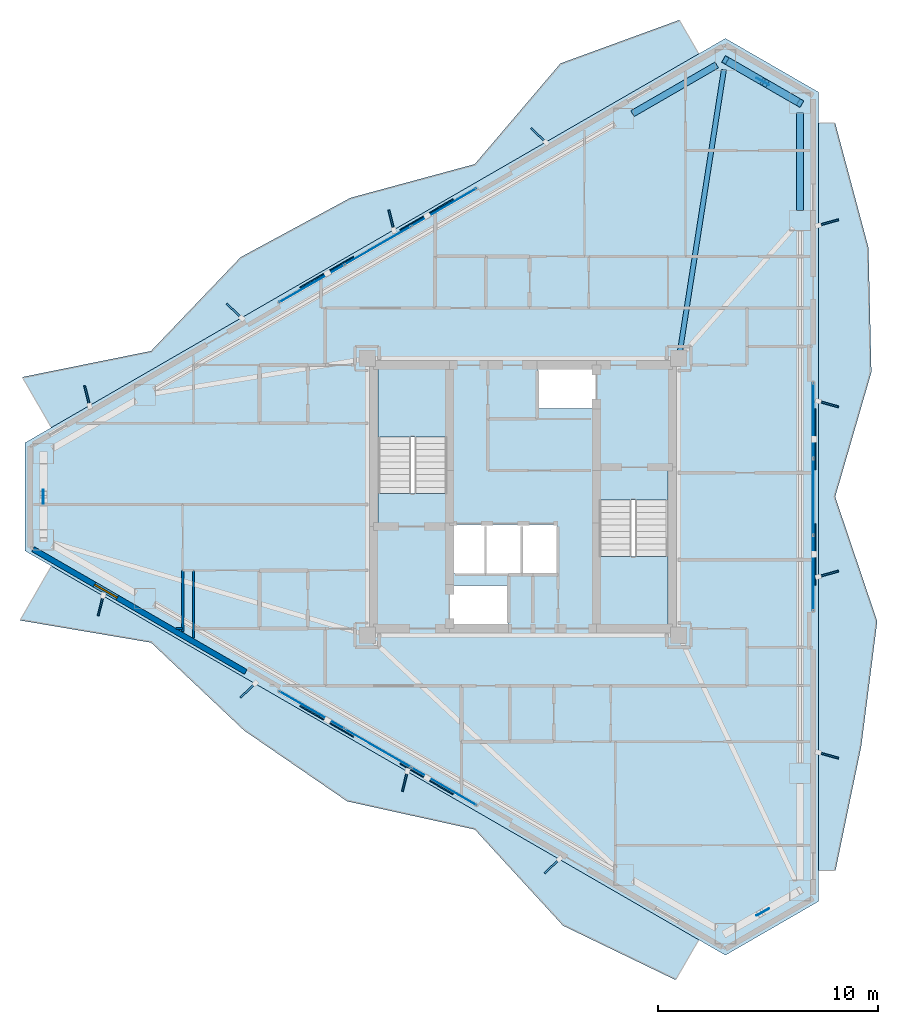
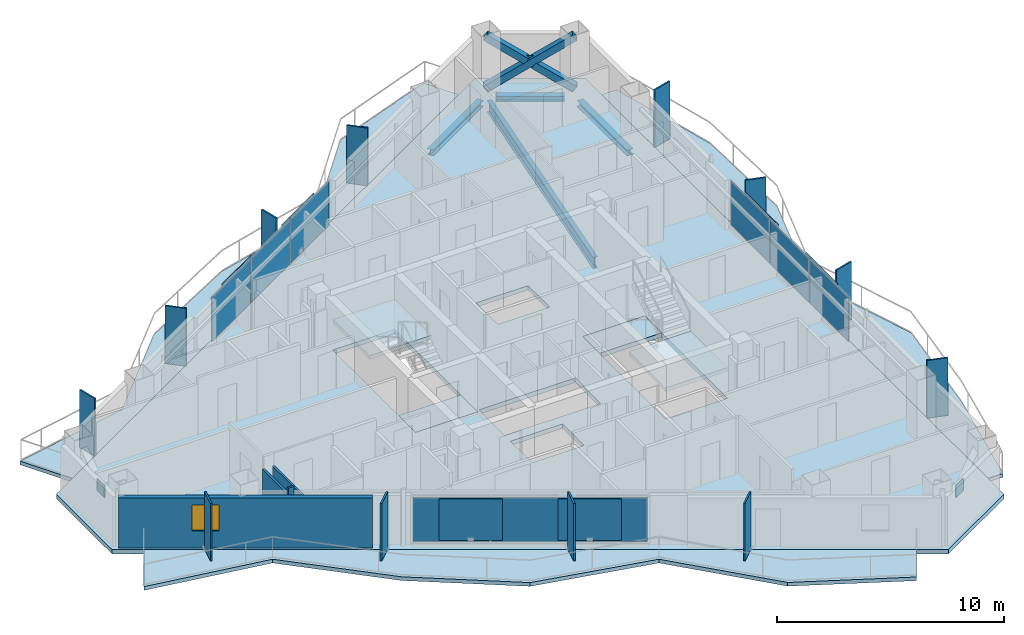
# One storey, part 11 of 19: 30 plates, 8 slabs, 4 beams, 4 walls, 3 members, 1 window, 1 opening, 5 elements without a shape of their own.
"""IFC4 building model written with IfcOpenShell, lengths in metres."""

from ifc_helpers import new_model, si_unit, direction, frame, frame_2d, origin, origin_2d, place, context, subcontext, project, spatial, polyline, rectangle, hollow_rectangle, i_section, outline, extrude, material, layer, layer_set, material_profile, profile_set, type_object, element, fill, aggregate, save


model = new_model("IFC4")

# Units and contexts
model_context = context("Model", 3, precision=1e-05, world=origin(), true_north=direction((0.0, 1.0)))
body_context = subcontext(model_context, "Body", "Model", "MODEL_VIEW")
ifc_project = project(units=[si_unit("LENGTHUNIT", "METRE"), si_unit("AREAUNIT", "SQUARE_METRE"), si_unit("VOLUMEUNIT", "CUBIC_METRE"), si_unit("PLANEANGLEUNIT", "RADIAN"), si_unit("MASSUNIT", "GRAM", prefix="KILO")], contexts=[model_context])

# Site, building, storey
site_placement = place(None, origin())
site = spatial("IfcSite", under=ifc_project, at=site_placement, CompositionType="ELEMENT")
building_placement = place(site_placement, origin())
building = spatial("IfcBuilding", under=site, at=building_placement, Name="Mersakhor Tower and Convention Hall", CompositionType="ELEMENT")
storey_placement = place(building_placement, frame((0.0, 0.0, 127.800048828125)))
storey = spatial("IfcBuildingStorey", under=building, at=storey_placement, Name="L35", CompositionType="ELEMENT", Elevation=127.800048828125)

# Beams
ifc_material_1 = material(Name="Steel S355", Category="steel")
ifc_material_profile_1 = material_profile(ifc_material_1, i_section(OverallWidth=0.22900390625, OverallDepth=0.6123046875, WebThickness=0.011962890625, FlangeThickness=0.01953125, at=origin_2d()), Name="UB 610x229x125")
ifc_profile_set_1 = profile_set([ifc_material_profile_1], Name="Steel S355")
beam_type_1 = type_object("IfcBeamType", Name="BM-PR-610", PredefinedType="BEAM", material=ifc_profile_set_1)
beam_1_placement = place(storey_placement, frame((36.15478515625, 33.40087890625, -0.546142578125), z_axis=(0.154111159783, 0.988053515975, 0.0), x_axis=(-0.988053515975, 0.154111159783, 0.0)))
element("IfcBeam", 1, at=beam_1_placement, inside=storey, type_object=beam_type_1, Name="L35 Primary Floor Girder FG-2", PredefinedType="BEAM", context=body_context, shape_type="SweptSolid", body=[
    extrude(i_section(OverallWidth=0.22900390625, OverallDepth=0.6123046875, WebThickness=0.011962890625, FlangeThickness=0.01953125, at=origin_2d()), origin(), (0.0, 0.0, 1.0), 12.94921875),
])
ifc_material_2 = material(Name="Steel S355", Category="steel")
ifc_material_profile_2 = material_profile(ifc_material_2, i_section(OverallWidth=0.30908203125, OverallDepth=0.320556640625, WebThickness=0.013916015625, FlangeThickness=0.021728515625, at=origin_2d()), Name="UC 305x305x137")
ifc_profile_set_2 = profile_set([ifc_material_profile_2], Name="Steel S355")
beam_type_2 = type_object("IfcBeamType", Name="BM-SPD-UC305", PredefinedType="SPANDREL", material=ifc_profile_set_2)
beam_2_placement = place(storey_placement, frame((33.986572265625, 44.200439453125, -0.400390625), z_axis=(0.866038875684, 0.49997666526, 0.0), x_axis=(-0.49997666526, 0.866038875684, 0.0)))
element("IfcBeam", 2, at=beam_2_placement, inside=storey, type_object=beam_type_2, Name="L35 Perimeter Spandrel Beam SPB-03", PredefinedType="SPANDREL", context=body_context, shape_type="SweptSolid", body=[
    extrude(i_section(OverallWidth=0.30908203125, OverallDepth=0.320556640625, WebThickness=0.013916015625, FlangeThickness=0.021728515625, at=origin_2d()), origin(), (0.0, 0.0, 1.0), 4.433837890625),
])
beam_3_placement = place(storey_placement, frame((38.614501953125, 46.417236328125, -0.400390625), z_axis=(0.86604667077, -0.499963162692, 0.0), x_axis=(0.499963162692, 0.86604667077, 0.0)))
element("IfcBeam", 3, at=beam_3_placement, inside=storey, type_object=beam_type_2, Name="L35 Perimeter Spandrel Beam SPB-04", PredefinedType="SPANDREL", context=body_context, shape_type="SweptSolid", body=[
    extrude(i_section(OverallWidth=0.30908203125, OverallDepth=0.320556640625, WebThickness=0.013916015625, FlangeThickness=0.021728515625, at=origin_2d()), origin(), (0.0, 0.0, 1.0), 3.014404296875),
])
beam_4_placement = place(storey_placement, frame((41.619140625, 44.2275390625, -0.400390625), z_axis=(0.0, -1.0, 0.0), x_axis=(1.0, 0.0, 0.0)))
element("IfcBeam", 4, at=beam_4_placement, inside=storey, type_object=beam_type_2, Name="L35 Perimeter Spandrel Beam SPB-05", PredefinedType="SPANDREL", context=body_context, shape_type="SweptSolid", body=[
    extrude(i_section(OverallWidth=0.30908203125, OverallDepth=0.320556640625, WebThickness=0.013916015625, FlangeThickness=0.021728515625, at=origin_2d()), origin(), (0.0, 0.0, 1.0), 4.433837890625),
])

# Members
ifc_material_3 = material(Name="Steel S460", Category="steel")
ifc_material_profile_3 = material_profile(ifc_material_3, hollow_rectangle(XDim=0.35009765625, YDim=0.35009765625, WallThickness=0.02001953125, at=origin_2d()), Name="SHS 350x350x20")
ifc_profile_set_3 = profile_set([ifc_material_profile_3], Name="Steel S460")
member_type = type_object("IfcMemberType", Name="MB-BRC-SHS350", PredefinedType="BRACE", material=ifc_profile_set_3)
member_placement = place(storey_placement, frame((38.220458984375, 46.644775390625, 0.14990234375), z_axis=(0.70838533923, -0.408971551713, 0.575267312693), x_axis=(0.499986324622, 0.866033299124, 0.0)))
element("IfcMember", 5, at=member_placement, inside=storey, type_object=member_type, Name="L35 Chamfer Braced Frame Diagonal CB-1A", PredefinedType="BRACE", context=body_context, shape_type="SweptSolid", body=[
    extrude(hollow_rectangle(XDim=0.35009765625, YDim=0.35009765625, WallThickness=0.02001953125, at=origin_2d()), origin(), (0.0, 0.0, 1.0), 4.7978515625),
])
for number, where, z_axis, x_axis, name in (
    (6, (41.619140625, 44.6826171875, 0.14990234375), (-0.708364021879, 0.408986667212, 0.575282816143), (-0.500011469263, -0.866018781901, 0.0), "L35 Chamfer Braced Frame Diagonal CB-1B Lower Half"),
    (7, (39.782470703125, 45.742919921875, 1.6416015625), (-0.708409139881, 0.409012716899, 0.575208734242), (-0.500011469263, -0.866018781901, 0.0), "L35 Chamfer Braced Frame Diagonal CB-1B Upper Half"),
):
    element("IfcMember", number, at=place(storey_placement, frame(where, z_axis=z_axis, x_axis=x_axis)), inside=storey, type_object=member_type, Name=name, PredefinedType="BRACE", context=body_context, shape_type="SweptSolid", body=[
        extrude(hollow_rectangle(XDim=0.35009765625, YDim=0.35009765625, WallThickness=0.02001953125, at=origin_2d()), origin(), (0.0, 0.0, 1.0), 2.205078125),
    ])

# Curtain wall, plates
ifc_material_4 = material(Name="Dark solar low-E aluminium curtain wall", Category="aluminium")
ifc_layer_1 = layer(ifc_material_4, 0.169921875)
ifc_layer_set_1 = layer_set([ifc_layer_1], Name="Dark solar low-E aluminium curtain wall")
curtain_wall_type = type_object("IfcCurtainWallType", Name="CW-SYS-02", PredefinedType="USERDEFINED", material=ifc_layer_set_1)
curtain_wall_1_placement = place(storey_placement, origin())
curtain_wall_1 = element("IfcCurtainWall", 8, at=curtain_wall_1_placement, inside=storey, type_object=curtain_wall_type, Name="L35 Dark-Glass Curtain Wall F1-B2", ObjectType="CURTAIN WALL", PredefinedType="USERDEFINED")
ifc_material_5 = material(Name="Dark solar double glazing", Category="glass")
ifc_layer_2 = layer(ifc_material_5, 0.028076171875)
ifc_layer_set_2 = layer_set([ifc_layer_2], Name="Dark solar double glazing")
plate_type_1 = type_object("IfcPlateType", Name="CWP-GLZ-28", PredefinedType="CURTAIN_PANEL", material=ifc_layer_set_2)
plate_1_placement = place(storey_placement, frame((19.379638671875, 36.4599609375, 0.259765625), z_axis=(0.0, 0.0, 1.0), x_axis=(0.866030906807, 0.499990468363, 0.0)))
plate_1 = element("IfcPlate", 9, at=plate_1_placement, type_object=plate_type_1, Name="CW-02 panel 1.1", PredefinedType="CURTAIN_PANEL", context=body_context, shape_type="SweptSolid", body=[
    extrude(rectangle(XDim=3.3828125, YDim=0.028076171875, at=origin_2d()), origin(), (0.0, 0.0, 1.0), 2.360107421875),
])
plate_2_placement = place(storey_placement, frame((22.390380859375, 38.1982421875, 0.259765625), z_axis=(0.0, 0.0, 1.0), x_axis=(0.866030906807, 0.499990468363, 0.0)))
plate_2 = element("IfcPlate", 10, at=plate_2_placement, type_object=plate_type_1, Name="CW-02 panel 2.1", PredefinedType="CURTAIN_PANEL", context=body_context, shape_type="SweptSolid", body=[
    extrude(rectangle(XDim=3.42041015625, YDim=0.028076171875, at=origin_2d()), origin(), (0.0, 0.0, 1.0), 2.360107421875),
])
plate_3_placement = place(storey_placement, frame((25.401123046875, 39.9365234375, 0.259765625), z_axis=(0.0, 0.0, 1.0), x_axis=(0.866030906807, 0.499990468363, 0.0)))
plate_3 = element("IfcPlate", 11, at=plate_3_placement, type_object=plate_type_1, Name="CW-02 panel 3.1", PredefinedType="CURTAIN_PANEL", context=body_context, shape_type="SweptSolid", body=[
    extrude(rectangle(XDim=3.3828125, YDim=0.028076171875, at=origin_2d()), origin(), (0.0, 0.0, 1.0), 2.360107421875),
])
aggregate(curtain_wall_1, [plate_1, plate_2, plate_3])

curtain_wall_2_placement = place(storey_placement, origin())
curtain_wall_2 = element("IfcCurtainWall", 12, at=curtain_wall_2_placement, inside=storey, type_object=curtain_wall_type, Name="L35 Dark-Glass Curtain Wall F2-B2", ObjectType="CURTAIN WALL", PredefinedType="USERDEFINED")
plate_4_placement = place(storey_placement, frame((42.21923828125, 30.2265625, 0.259765625), z_axis=(0.0, 0.0, 1.0), x_axis=(0.0, -1.0, 0.0)))
plate_4 = element("IfcPlate", 13, at=plate_4_placement, type_object=plate_type_1, Name="CW-02 panel 1.1", PredefinedType="CURTAIN_PANEL", context=body_context, shape_type="SweptSolid", body=[
    extrude(rectangle(XDim=3.3828125, YDim=0.028076171875, at=origin_2d()), origin(), (0.0, 0.0, 1.0), 2.360107421875),
])
plate_5_placement = place(storey_placement, frame((42.21923828125, 26.75, 0.259765625), z_axis=(0.0, 0.0, 1.0), x_axis=(0.0, -1.0, 0.0)))
plate_5 = element("IfcPlate", 14, at=plate_5_placement, type_object=plate_type_1, Name="CW-02 panel 2.1", PredefinedType="CURTAIN_PANEL", context=body_context, shape_type="SweptSolid", body=[
    extrude(rectangle(XDim=3.42041015625, YDim=0.028076171875, at=origin_2d()), origin(), (0.0, 0.0, 1.0), 2.360107421875),
])
plate_6_placement = place(storey_placement, frame((42.21923828125, 23.2734375, 0.259765625), z_axis=(0.0, 0.0, 1.0), x_axis=(0.0, -1.0, 0.0)))
plate_6 = element("IfcPlate", 15, at=plate_6_placement, type_object=plate_type_1, Name="CW-02 panel 3.1", PredefinedType="CURTAIN_PANEL", context=body_context, shape_type="SweptSolid", body=[
    extrude(rectangle(XDim=3.3828125, YDim=0.028076171875, at=origin_2d()), origin(), (0.0, 0.0, 1.0), 2.360107421875),
])
aggregate(curtain_wall_2, [plate_4, plate_5, plate_6])

curtain_wall_3_placement = place(storey_placement, origin())
curtain_wall_3 = element("IfcCurtainWall", 16, at=curtain_wall_3_placement, inside=storey, type_object=curtain_wall_type, Name="L35 Dark-Glass Curtain Wall F3-B2", ObjectType="CURTAIN WALL", PredefinedType="USERDEFINED")
plate_7_placement = place(storey_placement, frame((25.401123046875, 13.5634765625, 0.259765625), z_axis=(0.0, 0.0, 1.0), x_axis=(-0.866030906807, 0.499990468363, 0.0)))
plate_7 = element("IfcPlate", 17, at=plate_7_placement, type_object=plate_type_1, Name="CW-02 panel 1.1", PredefinedType="CURTAIN_PANEL", context=body_context, shape_type="SweptSolid", body=[
    extrude(rectangle(XDim=3.3828125, YDim=0.028076171875, at=origin_2d()), origin(), (0.0, 0.0, 1.0), 2.360107421875),
])
plate_8_placement = place(storey_placement, frame((22.390380859375, 15.3017578125, 0.259765625), z_axis=(0.0, 0.0, 1.0), x_axis=(-0.866030906807, 0.499990468363, 0.0)))
plate_8 = element("IfcPlate", 18, at=plate_8_placement, type_object=plate_type_1, Name="CW-02 panel 2.1", PredefinedType="CURTAIN_PANEL", context=body_context, shape_type="SweptSolid", body=[
    extrude(rectangle(XDim=3.42041015625, YDim=0.028076171875, at=origin_2d()), origin(), (0.0, 0.0, 1.0), 2.360107421875),
])
plate_9_placement = place(storey_placement, frame((19.379638671875, 17.0400390625, 0.259765625), z_axis=(0.0, 0.0, 1.0), x_axis=(-0.866030906807, 0.499990468363, 0.0)))
plate_9 = element("IfcPlate", 19, at=plate_9_placement, type_object=plate_type_1, Name="CW-02 panel 3.1", PredefinedType="CURTAIN_PANEL", context=body_context, shape_type="SweptSolid", body=[
    extrude(rectangle(XDim=3.3828125, YDim=0.028076171875, at=origin_2d()), origin(), (0.0, 0.0, 1.0), 2.360107421875),
])
aggregate(curtain_wall_3, [plate_7, plate_8, plate_9])

# Plates
ifc_material_6 = material(Name="Ceramic-clad aluminium Zone 3 ochre-bronze", Category="aluminium")
ifc_material_7 = material(Name="Ceramic-clad aluminium Zone 1 cobalt-slate", Category="masonry")
ifc_layer_3 = layer(ifc_material_7, 0.080078125)
ifc_layer_set_3 = layer_set([ifc_layer_3], Name="Ceramic-clad aluminium Zone 1 cobalt-slate")
plate_type_2 = type_object("IfcPlateType", Name="PL-FIN-80", PredefinedType="USERDEFINED", material=ifc_layer_set_3)
for number, where, z_axis, x_axis, name in (
    (20, (9.14990234375, 31.3466796875, 0.0), (0.0, 0.0, 1.0), (-0.2419218956, 0.970295726276, 0.0), "L35 Zone 3 Coloured Brise-Soleil Fin F1-1"),
    (21, (15.851318359375, 35.215576171875, 0.0), (0.0, 0.0, 1.0), (-0.719339800339, 0.694658370459, 0.0), "L35 Zone 3 Coloured Brise-Soleil Fin F1-2"),
    (22, (23.00634765625, 39.346435546875, 0.0), (0.0, 0.0, 1.0), (-0.2419218956, 0.970295726276, 0.0), "L35 Zone 3 Coloured Brise-Soleil Fin F1-3"),
    (23, (29.707763671875, 43.215576171875, 0.0), (0.0, 0.0, 1.0), (-0.719339800339, 0.694658370459, 0.0), "L35 Zone 3 Coloured Brise-Soleil Fin F1-4"),
    (24, (42.90576171875, 39.237548828125, 0.0), (0.0, 0.0, 1.0), (0.961261695938, 0.275637355817, 0.0), "L35 Zone 3 Coloured Brise-Soleil Fin F2-1"),
    (25, (42.90576171875, 30.9755859375, 0.0), (0.0, 0.0, 1.0), (0.961261695938, -0.275637355817, 0.0), "L35 Zone 3 Coloured Brise-Soleil Fin F2-2"),
    (26, (42.90576171875, 23.237548828125, 0.0), (0.0, 0.0, 1.0), (0.961261695938, 0.275637355817, 0.0), "L35 Zone 3 Coloured Brise-Soleil Fin F2-3"),
    (27, (42.90576171875, 14.9755859375, 0.0), (0.0, 0.0, 1.0), (0.961261695938, -0.275637355817, 0.0), "L35 Zone 3 Coloured Brise-Soleil Fin F2-4"),
    (28, (30.325439453125, 9.927734375, 0.0), (0.0, 0.0, 1.0), (-0.719339800339, -0.694658370459, 0.0), "L35 Zone 3 Coloured Brise-Soleil Fin F3-1"),
    (29, (23.6240234375, 13.796875, 0.0), (0.0, 0.0, 1.0), (-0.2419218956, -0.970295726276, 0.0), "L35 Zone 3 Coloured Brise-Soleil Fin F3-2"),
    (30, (16.468994140625, 17.927734375, 0.0), (0.0, 0.0, 1.0), (-0.719339800339, -0.694658370459, 0.0), "L35 Zone 3 Coloured Brise-Soleil Fin F3-3"),
    (31, (9.767578125, 21.796875, 0.0), (0.0, 0.0, 1.0), (-0.2419218956, -0.970295726276, 0.0), "L35 Zone 3 Coloured Brise-Soleil Fin F3-4"),
):
    element("IfcPlate", number, at=place(storey_placement, frame(where, z_axis=z_axis, x_axis=x_axis)), inside=storey, type_object=plate_type_2, material=ifc_material_6, Name=name, ObjectType="FIN", PredefinedType="USERDEFINED", context=body_context, shape_type="SweptSolid", body=[
        extrude(rectangle(XDim=0.949951171875, YDim=0.080078125, at=origin_2d()), origin(), (0.0, 0.0, 1.0), 3.10009765625),
    ])
ifc_material_8 = material(Name="Steel S460", Category="steel")
ifc_layer_4 = layer(ifc_material_8, 0.0400390625)
ifc_layer_set_4 = layer_set([ifc_layer_4], Name="Steel S460")
plate_type_3 = type_object("IfcPlateType", Name="PL-GUSSET-40", PredefinedType="SHEET", material=ifc_layer_set_4)
for number, where, z_axis, x_axis, name in (
    (32, (39.919921875, 45.663818359375, 1.2099609375), (0.0, 0.0, 1.0), (-0.866025403784, 0.5, 0.0), "L35 X-Brace Crossing Gusset Node Plate"),
    (33, (39.919921875, 7.836181640625, 1.2099609375), (0.0, 0.0, 1.0), (0.866025403784, 0.5, 0.0), "L35 X-Brace Crossing Gusset Node Plate"),
    (34, (7.160400390625, 26.75, 1.2099609375), (0.0, 0.0, 1.0), (0.0, -1.0, 0.0), "L35 X-Brace Crossing Gusset Node Plate"),
):
    element("IfcPlate", number, at=place(storey_placement, frame(where, z_axis=z_axis, x_axis=x_axis)), inside=storey, type_object=plate_type_3, Name=name, PredefinedType="SHEET", context=body_context, shape_type="SweptSolid", body=[
        extrude(rectangle(XDim=0.639892578125, YDim=0.0400390625, at=origin_2d()), origin(), (0.0, 0.0, 1.0), 0.639892578125),
    ])
ifc_material_9 = material(Name="Perforated ceramic cobogo solar screen", Category="aluminium")
ifc_layer_5 = layer(ifc_material_9, 0.055908203125)
ifc_layer_set_5 = layer_set([ifc_layer_5], Name="Perforated ceramic cobogo solar screen")
plate_type_4 = type_object("IfcPlateType", Name="PL-SCR-56", PredefinedType="USERDEFINED", material=ifc_layer_set_5)
for number, where, z_axis, x_axis, name in (
    (35, (20.071044921875, 36.972412109375, 0.39990234375), (0.0, 0.0, 1.0), (0.866025403784, 0.5, 0.0), "L35 Perforated Ceramic Solar Screen F1-1"),
    (36, (24.61181640625, 39.59375, 0.39990234375), (0.0, 0.0, 1.0), (0.866025403784, 0.5, 0.0), "L35 Perforated Ceramic Solar Screen F1-2"),
    (37, (42.317138671875, 29.37158203125, 0.39990234375), (0.0, 0.0, 1.0), (0.0, -1.0, 0.0), "L35 Perforated Ceramic Solar Screen F2-1"),
    (38, (42.317138671875, 24.12841796875, 0.39990234375), (0.0, 0.0, 1.0), (0.0, -1.0, 0.0), "L35 Perforated Ceramic Solar Screen F2-2"),
    (39, (24.61181640625, 13.90625, 0.39990234375), (0.0, 0.0, 1.0), (-0.866025403784, 0.5, 0.0), "L35 Perforated Ceramic Solar Screen F3-1"),
    (40, (20.071044921875, 16.52783203125, 0.39990234375), (0.0, 0.0, 1.0), (-0.866025403784, 0.5, 0.0), "L35 Perforated Ceramic Solar Screen F3-2"),
):
    element("IfcPlate", number, at=place(storey_placement, frame(where, z_axis=z_axis, x_axis=x_axis)), inside=storey, type_object=plate_type_4, Name=name, ObjectType="SCREEN", PredefinedType="USERDEFINED", context=body_context, shape_type="SweptSolid", body=[
        extrude(rectangle(XDim=2.800048828125, YDim=0.055908203125, at=origin_2d()), origin(), (0.0, 0.0, 1.0), 2.22998046875),
    ])

# Slabs
ifc_material_10 = material(Name="Concrete C45/55", Category="concrete")
ifc_layer_6 = layer(ifc_material_10, 0.199951171875)
ifc_layer_set_6 = layer_set([ifc_layer_6], Name="Concrete C45/55")
slab_type_1 = type_object("IfcSlabType", Name="SL-BAL-200", PredefinedType="FLOOR", material=ifc_layer_set_6)
slab_1_placement = place(storey_placement, frame((0.0, 0.0, -0.199951171875)))
element("IfcSlab", 41, at=slab_1_placement, inside=storey, type_object=slab_type_1, Name="L35 Sinusoidal Balcony Slab Face 1", PredefinedType="FLOOR", context=body_context, shape_type="SweptSolid", body=[
    extrude(outline(polyline([(7.522705078125, 29.903076171875), (37.008056640625, 46.92626953125), (36.119140625, 48.4658203125), (30.708251953125, 46.489013671875), (26.8046875, 41.9013671875), (21.138916015625, 40.365478515625), (16.1455078125, 37.665771484375), (12.06201171875, 33.3896484375), (6.19482421875, 32.202880859375), (7.522705078125, 29.903076171875)])), origin(), (0.0, 0.0, 1.0), 0.199951171875),
])
slab_2_placement = place(storey_placement, frame((0.0, 0.0, -0.199951171875)))
element("IfcSlab", 42, at=slab_2_placement, inside=storey, type_object=slab_type_1, Name="L35 Sinusoidal Balcony Slab Face 2", PredefinedType="FLOOR", context=body_context, shape_type="SweptSolid", body=[
    extrude(outline(polyline([(42.46923828125, 43.773193359375), (42.46923828125, 9.726806640625), (43.232666015625, 9.726806640625), (44.40869140625, 15.401123046875), (45.13525390625, 21.07568359375), (43.21923828125, 26.75), (44.867919921875, 32.42431640625), (44.735595703125, 38.098876953125), (43.21923828125, 43.773193359375), (42.46923828125, 43.773193359375)])), origin(), (0.0, 0.0, 1.0), 0.199951171875),
])
slab_3_placement = place(storey_placement, frame((0.0, 0.0, -0.199951171875)))
element("IfcSlab", 43, at=slab_3_placement, inside=storey, type_object=slab_type_1, Name="L35 Sinusoidal Balcony Slab Face 3", PredefinedType="FLOOR", context=body_context, shape_type="SweptSolid", body=[
    extrude(outline(polyline([(37.008056640625, 6.57373046875), (7.522705078125, 23.596923828125), (6.09326171875, 21.12109375), (12.06201171875, 20.1103515625), (16.3017578125, 16.10498046875), (20.99267578125, 12.881103515625), (26.8046875, 11.5986328125), (30.826904296875, 7.216796875), (35.951416015625, 4.74365234375), (37.008056640625, 6.57373046875)])), origin(), (0.0, 0.0, 1.0), 0.199951171875),
])
ifc_material_11 = material(Name="Concrete C40/50", Category="concrete")
ifc_layer_7 = layer(ifc_material_11, 0.239990234375)
ifc_layer_set_7 = layer_set([ifc_layer_7], Name="Concrete C40/50")
slab_type_2 = type_object("IfcSlabType", Name="SL-FLR-240", PredefinedType="FLOOR", material=ifc_layer_set_7)
slab_4_placement = place(storey_placement, frame((0.0, 0.0, -0.239990234375)))
element("IfcSlab", 44, at=slab_4_placement, inside=storey, type_object=slab_type_2, Name="L35 ST-1 Structural Stair Floor Landing", PredefinedType="LANDING", context=body_context, shape_type="SweptSolid", body=[
    extrude(outline(polyline([(25.550048828125, 25.39990234375), (25.550048828125, 26.89990234375), (22.39990234375, 26.89990234375), (22.39990234375, 25.39990234375), (25.550048828125, 25.39990234375)])), origin(), (0.0, 0.0, 1.0), 0.239990234375),
])
slab_5_placement = place(storey_placement, frame((0.0, 0.0, -0.239990234375)))
element("IfcSlab", 45, at=slab_5_placement, inside=storey, type_object=slab_type_2, Name="L35 ST-2 Structural Stair Floor Landing", PredefinedType="LANDING", context=body_context, shape_type="SweptSolid", body=[
    extrude(outline(polyline([(32.449951171875, 28.10009765625), (32.449951171875, 26.60009765625), (35.60009765625, 26.60009765625), (35.60009765625, 28.10009765625), (32.449951171875, 28.10009765625)])), origin(), (0.0, 0.0, 1.0), 0.239990234375),
])
slab_6_placement = place(storey_placement, frame((0.0, 0.0, -0.239990234375)))
element("IfcSlab", 46, at=slab_6_placement, inside=storey, type_object=slab_type_2, Name="Tower L35 Structural Floor Slab", PredefinedType="FLOOR", context=body_context, shape_type="SweptSolid", body=[
    extrude(outline(polyline([(6.310302734375, 29.202880859375), (38.220458984375, 47.626220703125), (42.46923828125, 45.17333984375), (42.46923828125, 8.32666015625), (38.220458984375, 5.873779296875), (6.310302734375, 24.297119140625), (6.310302734375, 29.202880859375)]), holes=[polyline([(25.550048828125, 25.39990234375), (25.550048828125, 32.699951171875), (22.39990234375, 32.699951171875), (22.39990234375, 25.39990234375), (25.550048828125, 25.39990234375)]), polyline([(32.449951171875, 28.10009765625), (32.449951171875, 20.800048828125), (35.60009765625, 20.800048828125), (35.60009765625, 28.10009765625), (32.449951171875, 28.10009765625)]), polyline([(25.679931640625, 20.820068359375), (25.679931640625, 22.719970703125), (28.320068359375, 22.719970703125), (28.320068359375, 20.820068359375), (25.679931640625, 20.820068359375)]), polyline([(29.679931640625, 30.780029296875), (29.679931640625, 32.679931640625), (32.320068359375, 32.679931640625), (32.320068359375, 30.780029296875), (29.679931640625, 30.780029296875)]), polyline([(25.679931640625, 23.25), (25.679931640625, 25.5), (30.570068359375, 25.5), (30.570068359375, 23.25), (25.679931640625, 23.25)])]), origin(), (0.0, 0.0, 1.0), 0.239990234375),
])

# Stair, slab
ifc_material_12 = material(Name="Concrete C45/55", Category="concrete")
stair_type = type_object("IfcStairType", Name="ST-TWR-20R", PredefinedType="HALF_TURN_STAIR", material=ifc_material_12)
stair_1_placement = place(storey_placement, origin())
stair_1 = element("IfcStair", 47, at=stair_1_placement, inside=storey, type_object=stair_type, Name="L35 Tower Protected Exit Stair ST-1", PredefinedType="HALF_TURN_STAIR")
ifc_material_13 = material(Name="Concrete C45/55", Category="concrete")
ifc_layer_8 = layer(ifc_material_13, 0.199951171875)
ifc_layer_set_8 = layer_set([ifc_layer_8], Name="Concrete C45/55")
slab_type_3 = type_object("IfcSlabType", Name="SL-LAND-200", PredefinedType="LANDING", material=ifc_layer_set_8)
slab_7_placement = place(storey_placement, frame((0.0, 0.0, 1.449951171875)))
slab_7 = element("IfcSlab", 48, at=slab_7_placement, type_object=slab_type_3, Name="ST-1 landing 1", PredefinedType="LANDING", context=body_context, shape_type="SweptSolid", body=[
    extrude(outline(polyline([(25.550048828125, 29.465087890625), (25.550048828125, 32.699951171875), (22.39990234375, 32.699951171875), (22.39990234375, 29.465087890625), (25.550048828125, 29.465087890625)])), origin(), (0.0, 0.0, 1.0), 0.199951171875),
])
aggregate(stair_1, [slab_7])

stair_2_placement = place(storey_placement, origin())
stair_2 = element("IfcStair", 49, at=stair_2_placement, inside=storey, type_object=stair_type, Name="L35 Tower Protected Exit Stair ST-2", PredefinedType="HALF_TURN_STAIR")
slab_8_placement = place(storey_placement, frame((0.0, 0.0, 1.449951171875)))
slab_8 = element("IfcSlab", 50, at=slab_8_placement, type_object=slab_type_3, Name="ST-2 landing 1", PredefinedType="LANDING", context=body_context, shape_type="SweptSolid", body=[
    extrude(outline(polyline([(32.449951171875, 24.034912109375), (32.449951171875, 20.800048828125), (35.60009765625, 20.800048828125), (35.60009765625, 24.034912109375), (32.449951171875, 24.034912109375)])), origin(), (0.0, 0.0, 1.0), 0.199951171875),
])
aggregate(stair_2, [slab_8])

# Wall, opening, window
ifc_material_14 = material(Name="Precast concrete C40/50", Category="concrete")
ifc_layer_9 = layer(ifc_material_14, 0.25)
ifc_layer_set_9 = layer_set([ifc_layer_9], Name="Precast concrete C40/50")
wall_type_1 = type_object("IfcWallType", Name="WL-EXT-250", PredefinedType="SOLIDWALL", material=ifc_layer_set_9)
wall_1_placement = place(storey_placement, frame((16.377685546875, 18.773193359375, 0.0), z_axis=(0.0, 0.0, 1.0), x_axis=(-0.866027848477, 0.499995765644, 0.0)))
wall_1 = element("IfcWall", 51, at=wall_1_placement, inside=storey, type_object=wall_type_1, Name="L35 Exterior Facade Wall F3-B3", PredefinedType="SOLIDWALL", context=body_context, shape_type="SweptSolid", body=[
    extrude(rectangle(XDim=11.18603515625, YDim=0.25, at=frame_2d((5.593017578125, 0.0))), origin(), (0.0, 0.0, 1.0), 2.679931640625),
])
opening_placement = place(wall_1_placement, frame((6.757080078125, 0.0, 0.89990234375)))
opening = element("IfcOpeningElement", 52, at=opening_placement, cuts=wall_1, Name="Opening W-01", PredefinedType="OPENING", context=body_context, shape_type="SweptSolid", body=[
    extrude(rectangle(XDim=1.199951171875, YDim=1.39990234375, at=frame_2d((0.60009765625, 0.699951171875))), frame((0.0, 0.135009765625, 0.0), z_axis=(0.0, -1.0, 0.0), x_axis=(1.0, 0.0, 0.0)), (0.0, 0.0, 1.0), 0.27001953125),
])
ifc_material_15 = material(Name="Dark solar low-E glazed aluminium window", Category="aluminium")
window_type = type_object("IfcWindowType", Name="WN-RES-120x150", PartitioningType="SINGLE_PANEL", PredefinedType="WINDOW", material=ifc_material_15)
window_placement = place(opening_placement, origin())
window = element("IfcWindow", 53, at=window_placement, inside=storey, type_object=window_type, Name="L35 Bedroom Facade Window F3-B3-1", OverallHeight=1.39990234375, OverallWidth=1.199951171875, PartitioningType="SINGLE_PANEL", PredefinedType="WINDOW", context=body_context, shape_type="SweptSolid", body=[
    extrude(rectangle(XDim=1.199951171875, YDim=1.39990234375, at=frame_2d((0.60009765625, 0.699951171875))), frame((0.0, 0.030029296875, 0.0), z_axis=(0.0, -1.0, 0.0), x_axis=(1.0, 0.0, 0.0)), (0.0, 0.0, 1.0), 0.06005859375),
])
fill(opening, window)

# Walls
ifc_material_16 = material(Name="Lightweight gypsum partition", Category="other")
ifc_layer_10 = layer(ifc_material_16, 0.10009765625)
ifc_layer_set_10 = layer_set([ifc_layer_10], Name="Lightweight gypsum partition")
wall_type_2 = type_object("IfcWallType", Name="WL-PRT-100", PredefinedType="PARTITIONING", material=ifc_layer_set_10)
wall_2_placement = place(storey_placement, frame((14.0, 20.318115234375, 0.0), z_axis=(0.0, 0.0, 1.0), x_axis=(0.0, 1.0, 0.0)))
element("IfcWall", 54, at=wall_2_placement, inside=storey, type_object=wall_type_2, Name="L35 Interior Partition Wall P-090", PredefinedType="PARTITIONING", context=body_context, shape_type="SweptSolid", body=[
    extrude(rectangle(XDim=3.081787109375, YDim=0.10009765625, at=frame_2d((1.541015625, 0.0))), origin(), (0.0, 0.0, 1.0), 2.364990234375),
])
wall_3_placement = place(storey_placement, frame((13.5, 20.75, 0.0), z_axis=(0.0, 0.0, 1.0), x_axis=(-1.0, 0.0, 0.0)))
element("IfcWall", 55, at=wall_3_placement, inside=storey, type_object=wall_type_2, Name="L35 Interior Partition Wall P-128", PredefinedType="PARTITIONING", context=body_context, shape_type="SweptSolid", body=[
    extrude(rectangle(XDim=0.293212890625, YDim=0.10009765625, at=frame_2d((0.146484375, 0.0))), origin(), (0.0, 0.0, 1.0), 3.06005859375),
])
ifc_material_17 = material(Name="Gypsum board acoustic partition", Category="other")
ifc_layer_11 = layer(ifc_material_17, 0.125)
ifc_layer_set_11 = layer_set([ifc_layer_11], Name="Gypsum board acoustic partition")
wall_type_3 = type_object("IfcWallType", Name="WL-PRT-125", PredefinedType="PARTITIONING", material=ifc_layer_set_11)
wall_4_placement = place(storey_placement, frame((13.5, 23.39990234375, 0.0), z_axis=(0.0, 0.0, 1.0), x_axis=(0.0, -1.0, 0.0)))
element("IfcWall", 56, at=wall_4_placement, inside=storey, type_object=wall_type_3, Name="L35 Interior Partition Wall P-127", PredefinedType="PARTITIONING", context=body_context, shape_type="SweptSolid", body=[
    extrude(rectangle(XDim=2.793212890625, YDim=0.125, at=frame_2d((1.396484375, 0.0))), origin(), (0.0, 0.0, 1.0), 2.364990234375),
])

save(model, "model.ifc")
